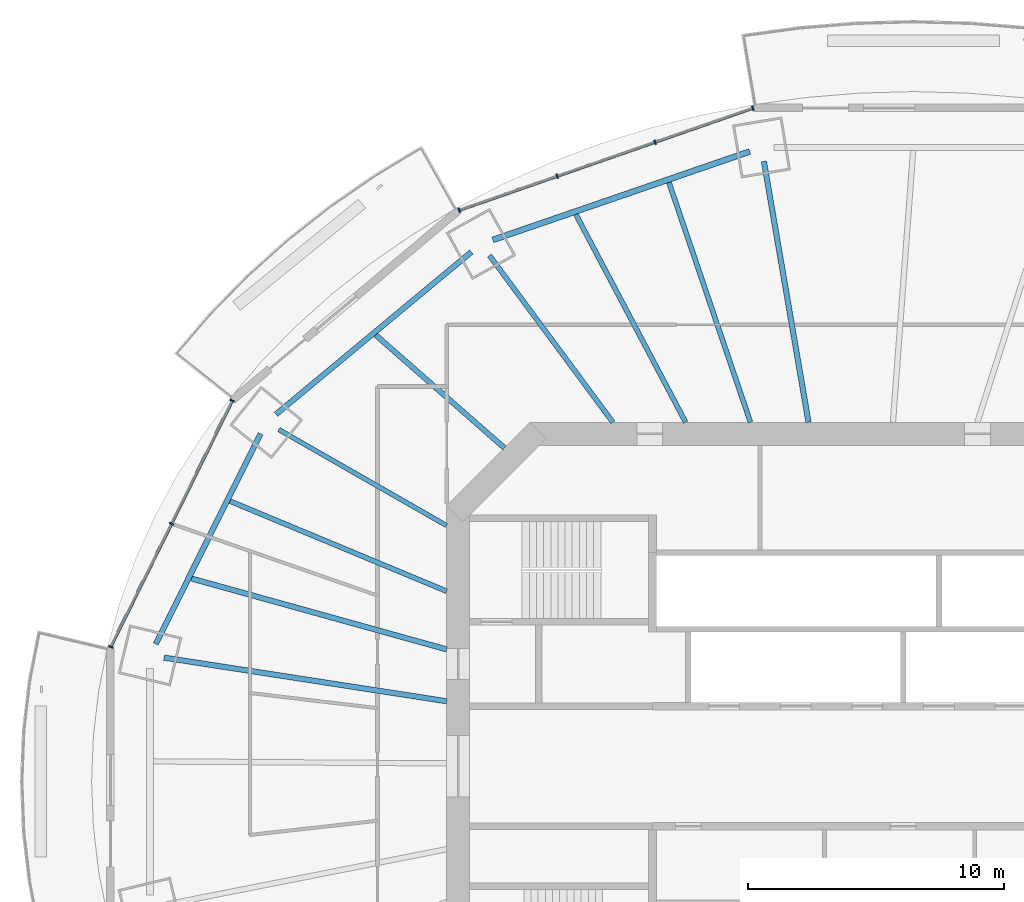
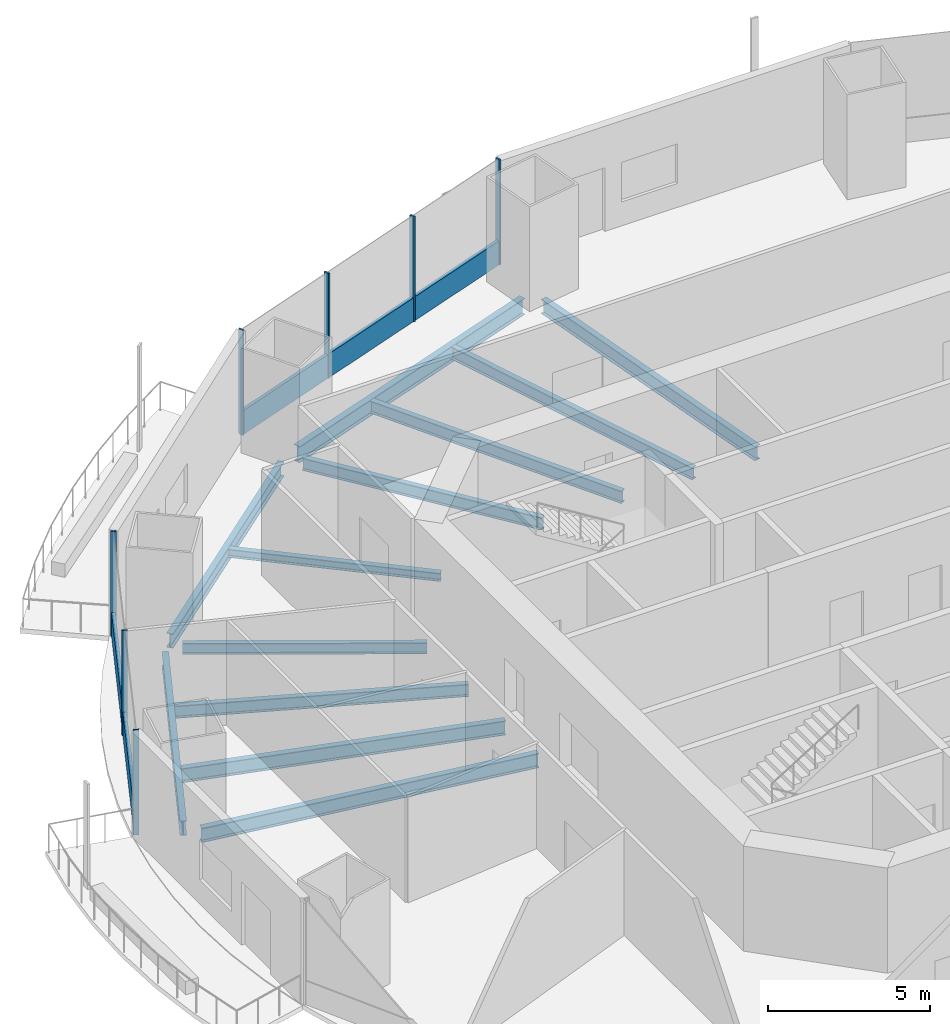
# One storey, part 6 of 20: 12 beams, 9 members, 2 elements without a shape of their own.
"""IFC4 building model written with IfcOpenShell, lengths in metres."""

from ifc_helpers import new_model, si_unit, direction, frame, origin, origin_2d, place, context, subcontext, project, spatial, rectangle, i_section, extrude, material, material_profile, profile_set, type_object, element, aggregate, save


model = new_model("IFC4")

# Units and contexts
model_context = context("Model", 3, precision=1e-05, world=origin(), true_north=direction((0.0, 1.0)))
body_context = subcontext(model_context, "Body", "Model", "MODEL_VIEW")
ifc_project = project(units=[si_unit("LENGTHUNIT", "METRE"), si_unit("AREAUNIT", "SQUARE_METRE"), si_unit("VOLUMEUNIT", "CUBIC_METRE"), si_unit("PLANEANGLEUNIT", "RADIAN"), si_unit("MASSUNIT", "GRAM", prefix="KILO")], contexts=[model_context])

# Site, building, storey
site_placement = place(None, origin())
site = spatial("IfcSite", under=ifc_project, at=site_placement, CompositionType="ELEMENT")
building_placement = place(site_placement, origin())
building = spatial("IfcBuilding", under=site, at=building_placement, Name="Marenthal Gate Tower", CompositionType="ELEMENT")
storey_placement = place(building_placement, frame((0.0, 0.0, 185.949951171875)))
storey = spatial("IfcBuildingStorey", under=building, at=storey_placement, Name="L40", CompositionType="ELEMENT", Elevation=185.949951171875)

# Curtain wall, members
ifc_material_1 = material(Name="Aluminium and glass", Category="aluminium")
curtain_wall_type = type_object("IfcCurtainWallType", Name="Curtain wall typical mid", PredefinedType="NOTDEFINED", material=ifc_material_1)
curtain_wall_1_placement = place(storey_placement, origin())
curtain_wall_1 = element("IfcCurtainWall", 1, at=curtain_wall_1_placement, inside=storey, type_object=curtain_wall_type, Name="Curtain wall L40 bay 5", PredefinedType="NOTDEFINED")
ifc_material_2 = material(Name="Aluminium", Category="aluminium")
ifc_material_profile_1 = material_profile(ifc_material_2, rectangle(XDim=0.179931640625, YDim=0.06005859375, at=origin_2d()), Name="60x180 aluminium mullion")
ifc_profile_set_1 = profile_set([ifc_material_profile_1], Name="Aluminium")
member_type_1 = type_object("IfcMemberType", Name="Mullion 60x180 typical mid", PredefinedType="MULLION", material=ifc_profile_set_1)
member_1_placement = place(storey_placement, frame((-4.47412109375, 25.735107421875, 0.0), z_axis=(0.0, 0.0, 1.0), x_axis=(0.328273001535, -0.944582890203, 0.0)))
member_1 = element("IfcMember", 2, at=member_1_placement, type_object=member_type_1, Name="Mullion L40 bay 5.1", PredefinedType="MULLION", context=body_context, shape_type="SweptSolid", body=[
    extrude(rectangle(XDim=0.179931640625, YDim=0.06005859375, at=origin_2d()), origin(), (0.0, 0.0, 1.0), 3.969970703125),
])
member_2_placement = place(storey_placement, frame((-8.30224609375, 24.40478515625, 0.0), z_axis=(0.0, 0.0, 1.0), x_axis=(0.328273001535, -0.944582890203, 0.0)))
member_2 = element("IfcMember", 3, at=member_2_placement, type_object=member_type_1, Name="Mullion L40 bay 5.2", PredefinedType="MULLION", context=body_context, shape_type="SweptSolid", body=[
    extrude(rectangle(XDim=0.179931640625, YDim=0.06005859375, at=origin_2d()), origin(), (0.0, 0.0, 1.0), 3.969970703125),
])
member_3_placement = place(storey_placement, frame((-12.13037109375, 23.07421875, 0.0), z_axis=(0.0, 0.0, 1.0), x_axis=(0.328273001535, -0.944582890203, 0.0)))
member_3 = element("IfcMember", 4, at=member_3_placement, type_object=member_type_1, Name="Mullion L40 bay 5.3", PredefinedType="MULLION", context=body_context, shape_type="SweptSolid", body=[
    extrude(rectangle(XDim=0.179931640625, YDim=0.06005859375, at=origin_2d()), origin(), (0.0, 0.0, 1.0), 3.969970703125),
])
member_4_placement = place(storey_placement, frame((-15.958251953125, 21.743896484375, 0.0), z_axis=(0.0, 0.0, 1.0), x_axis=(0.328273001535, -0.944582890203, 0.0)))
member_4 = element("IfcMember", 5, at=member_4_placement, type_object=member_type_1, Name="Mullion L40 bay 5.4", PredefinedType="MULLION", context=body_context, shape_type="SweptSolid", body=[
    extrude(rectangle(XDim=0.179931640625, YDim=0.06005859375, at=origin_2d()), origin(), (0.0, 0.0, 1.0), 3.969970703125),
])

curtain_wall_2_placement = place(storey_placement, origin())
curtain_wall_2 = element("IfcCurtainWall", 6, at=curtain_wall_2_placement, inside=storey, type_object=curtain_wall_type, Name="Curtain wall L40 bay 7", PredefinedType="NOTDEFINED")
member_5_placement = place(storey_placement, frame((-24.832763671875, 14.29638671875, 0.0), z_axis=(0.0, 0.0, 1.0), x_axis=(0.896680826174, -0.442677643406, 0.0)))
member_5 = element("IfcMember", 7, at=member_5_placement, type_object=member_type_1, Name="Mullion L40 bay 7.1", PredefinedType="MULLION", context=body_context, shape_type="SweptSolid", body=[
    extrude(rectangle(XDim=0.179931640625, YDim=0.06005859375, at=origin_2d()), origin(), (0.0, 0.0, 1.0), 3.969970703125),
])
member_6_placement = place(storey_placement, frame((-27.209716796875, 9.481689453125, 0.0), z_axis=(0.0, 0.0, 1.0), x_axis=(0.896680826174, -0.442677643406, 0.0)))
member_6 = element("IfcMember", 8, at=member_6_placement, type_object=member_type_1, Name="Mullion L40 bay 7.2", PredefinedType="MULLION", context=body_context, shape_type="SweptSolid", body=[
    extrude(rectangle(XDim=0.179931640625, YDim=0.06005859375, at=origin_2d()), origin(), (0.0, 0.0, 1.0), 3.969970703125),
])
member_7_placement = place(storey_placement, frame((-29.58642578125, 4.667236328125, 0.0), z_axis=(0.0, 0.0, 1.0), x_axis=(0.896680826174, -0.442677643406, 0.0)))
member_7 = element("IfcMember", 9, at=member_7_placement, type_object=member_type_1, Name="Mullion L40 bay 7.3", PredefinedType="MULLION", context=body_context, shape_type="SweptSolid", body=[
    extrude(rectangle(XDim=0.179931640625, YDim=0.06005859375, at=origin_2d()), origin(), (0.0, 0.0, 1.0), 3.969970703125),
])

# Member
ifc_material_3 = material(Name="Aluminium", Category="aluminium")
ifc_material_profile_2 = material_profile(ifc_material_3, rectangle(XDim=0.1201171875, YDim=0.89990234375, at=origin_2d()), Name="120x900 aluminium transom")
ifc_profile_set_2 = profile_set([ifc_material_profile_2], Name="Aluminium")
member_type_2 = type_object("IfcMemberType", Name="Transom 120x900 typical mid", PredefinedType="USERDEFINED", material=ifc_profile_set_2)
member_8_placement = place(storey_placement, frame((-4.50244140625, 25.72509765625, 0.449951171875), z_axis=(-0.944588780023, -0.328256053493, 0.0), x_axis=(0.328256053493, -0.944588780023, 0.0)))
member_8 = element("IfcMember", 10, at=member_8_placement, type_object=member_type_2, Name="Transom L40 bay 5", ObjectType="TRANSOM", PredefinedType="USERDEFINED", context=body_context, shape_type="SweptSolid", body=[
    extrude(rectangle(XDim=0.1201171875, YDim=0.89990234375, at=origin_2d()), origin(), (0.0, 0.0, 1.0), 12.097900390625),
])

aggregate(curtain_wall_1, [member_1, member_2, member_3, member_4, member_8])

member_9_placement = place(storey_placement, frame((-24.845947265625, 14.269287109375, 0.449951171875), z_axis=(-0.442690223778, -0.896674615327, 0.0), x_axis=(0.896674615327, -0.442690223778, 0.0)))
member_9 = element("IfcMember", 11, at=member_9_placement, type_object=member_type_2, Name="Transom L40 bay 7", ObjectType="TRANSOM", PredefinedType="USERDEFINED", context=body_context, shape_type="SweptSolid", body=[
    extrude(rectangle(XDim=0.1201171875, YDim=0.89990234375, at=origin_2d()), origin(), (0.0, 0.0, 1.0), 10.678466796875),
])

aggregate(curtain_wall_2, [member_5, member_6, member_7, member_9])

# Beams
ifc_material_4 = material(Name="Steel S355", Category="steel")
ifc_material_profile_3 = material_profile(ifc_material_4, i_section(OverallWidth=0.205078125, OverallDepth=0.31005859375, WebThickness=0.009521484375, FlangeThickness=0.016357421875, FilletRadius=0.0126953125, at=origin_2d()), Name="W310X74")
ifc_profile_set_3 = profile_set([ifc_material_profile_3], Name="Steel S355")
beam_type_1 = type_object("IfcBeamType", Name="W310X74 beam", PredefinedType="BEAM", material=ifc_profile_set_3)
beam_1_placement = place(storey_placement, frame((-19.2265625, 16.862060546875, -0.3349609375), z_axis=(0.751813002005, -0.659376379631, 0.0), x_axis=(0.659376379631, 0.751813002005, 0.0)))
element("IfcBeam", 12, at=beam_1_placement, inside=storey, type_object=beam_type_1, Name="BM-L40-25", PredefinedType="BEAM", context=body_context, shape_type="SweptSolid", body=[
    extrude(i_section(OverallWidth=0.205078125, OverallDepth=0.31005859375, WebThickness=0.009521484375, FlangeThickness=0.016357421875, FilletRadius=0.0126953125, at=origin_2d()), origin(), (0.0, 0.0, 1.0), 6.697998046875),
])
ifc_material_5 = material(Name="Steel S355", Category="steel")
ifc_material_profile_4 = material_profile(ifc_material_5, i_section(OverallWidth=0.180908203125, OverallDepth=0.4169921875, WebThickness=0.010986328125, FlangeThickness=0.018310546875, FilletRadius=0.01025390625, at=origin_2d()), Name="W410X85")
ifc_profile_set_4 = profile_set([ifc_material_profile_4], Name="Steel S355")
beam_type_2 = type_object("IfcBeamType", Name="W410X85 beam", PredefinedType="BEAM", material=ifc_profile_set_4)
beam_2_placement = place(storey_placement, frame((-23.016845703125, 13.165771484375, -0.388427734375), z_axis=(0.868024608307, -0.496521177166, 0.0), x_axis=(0.496521177166, 0.868024608307, 0.0)))
element("IfcBeam", 13, at=beam_2_placement, inside=storey, type_object=beam_type_2, Name="BM-L40-07", PredefinedType="BEAM", context=body_context, shape_type="SweptSolid", body=[
    extrude(i_section(OverallWidth=0.180908203125, OverallDepth=0.4169921875, WebThickness=0.010986328125, FlangeThickness=0.018310546875, FilletRadius=0.01025390625, at=origin_2d()), origin(), (0.0, 0.0, 1.0), 7.5654296875),
])
ifc_material_6 = material(Name="Steel S355", Category="steel")
ifc_material_profile_5 = material_profile(ifc_material_6, i_section(OverallWidth=0.193115234375, OverallDepth=0.467041015625, WebThickness=0.011474609375, FlangeThickness=0.01904296875, FilletRadius=0.010009765625, at=origin_2d()), Name="W460X97")
ifc_profile_set_5 = profile_set([ifc_material_profile_5], Name="Steel S355")
beam_type_3 = type_object("IfcBeamType", Name="W460X97 beam", PredefinedType="BEAM", material=ifc_profile_set_5)
beam_3_placement = place(storey_placement, frame((-14.7763671875, 19.970947265625, -0.413330078125), z_axis=(0.59479633117, -0.803876436044, 0.0), x_axis=(0.803876436044, 0.59479633117, 0.0)))
element("IfcBeam", 14, at=beam_3_placement, inside=storey, type_object=beam_type_3, Name="BM-L40-06", PredefinedType="BEAM", context=body_context, shape_type="SweptSolid", body=[
    extrude(i_section(OverallWidth=0.193115234375, OverallDepth=0.467041015625, WebThickness=0.011474609375, FlangeThickness=0.01904296875, FilletRadius=0.010009765625, at=origin_2d()), origin(), (0.0, 0.0, 1.0), 8.11181640625),
])
beam_4_placement = place(storey_placement, frame((-7.7578125, 22.82861328125, -0.413330078125), z_axis=(0.321745866292, -0.946826065085, 0.0), x_axis=(0.946826065085, 0.321745866292, 0.0)))
element("IfcBeam", 15, at=beam_4_placement, inside=storey, type_object=beam_type_3, Name="BM-L40-23", PredefinedType="BEAM", context=body_context, shape_type="SweptSolid", body=[
    extrude(i_section(OverallWidth=0.193115234375, OverallDepth=0.467041015625, WebThickness=0.011474609375, FlangeThickness=0.01904296875, FilletRadius=0.010009765625, at=origin_2d()), origin(), (0.0, 0.0, 1.0), 9.9052734375),
])
beam_5_placement = place(storey_placement, frame((-11.397705078125, 21.576171875, -0.413330078125), z_axis=(0.467089292525, -0.884210151948, 0.0), x_axis=(0.884210151948, 0.467089292525, 0.0)))
element("IfcBeam", 16, at=beam_5_placement, inside=storey, type_object=beam_type_3, Name="BM-L40-24", PredefinedType="BEAM", context=body_context, shape_type="SweptSolid", body=[
    extrude(i_section(OverallWidth=0.193115234375, OverallDepth=0.467041015625, WebThickness=0.011474609375, FlangeThickness=0.01904296875, FilletRadius=0.010009765625, at=origin_2d()), origin(), (0.0, 0.0, 1.0), 9.1904296875),
])
beam_6_placement = place(storey_placement, frame((-24.922607421875, 10.36669921875, -0.413330078125), z_axis=(0.923312891466, -0.384048570433, 0.0), x_axis=(0.384048570433, 0.923312891466, 0.0)))
element("IfcBeam", 17, at=beam_6_placement, inside=storey, type_object=beam_type_3, Name="BM-L40-26", PredefinedType="BEAM", context=body_context, shape_type="SweptSolid", body=[
    extrude(i_section(OverallWidth=0.193115234375, OverallDepth=0.467041015625, WebThickness=0.011474609375, FlangeThickness=0.01904296875, FilletRadius=0.010009765625, at=origin_2d()), origin(), (0.0, 0.0, 1.0), 9.17626953125),
])
ifc_material_7 = material(Name="Steel S355", Category="steel")
ifc_material_profile_6 = material_profile(ifc_material_7, i_section(OverallWidth=0.2099609375, OverallDepth=0.535888671875, WebThickness=0.010986328125, FlangeThickness=0.017333984375, FilletRadius=0.0126953125, at=origin_2d()), Name="W530X101")
ifc_profile_set_6 = profile_set([ifc_material_profile_6], Name="Steel S355")
beam_type_4 = type_object("IfcBeamType", Name="W530X101 beam", PredefinedType="BEAM", material=ifc_profile_set_6)
beam_7_placement = place(storey_placement, frame((-26.431396484375, 7.341064453125, -0.447998046875), z_axis=(0.963528038179, -0.267607398335, 0.0), x_axis=(0.267607398335, 0.963528038179, 0.0)))
element("IfcBeam", 18, at=beam_7_placement, inside=storey, type_object=beam_type_4, Name="BM-L40-27", PredefinedType="BEAM", context=body_context, shape_type="SweptSolid", body=[
    extrude(i_section(OverallWidth=0.2099609375, OverallDepth=0.535888671875, WebThickness=0.010986328125, FlangeThickness=0.017333984375, FilletRadius=0.0126953125, at=origin_2d()), origin(), (0.0, 0.0, 1.0), 10.359375),
])
ifc_material_8 = material(Name="Steel S355", Category="steel")
ifc_material_profile_7 = material_profile(ifc_material_8, i_section(OverallWidth=0.2119140625, OverallDepth=0.5439453125, WebThickness=0.01318359375, FlangeThickness=0.021240234375, FilletRadius=0.0126953125, at=origin_2d()), Name="W530X123")
ifc_profile_set_7 = profile_set([ifc_material_profile_7], Name="Steel S355")
beam_type_5 = type_object("IfcBeamType", Name="W530X123 beam", PredefinedType="BEAM", material=ifc_profile_set_7)
beam_8_placement = place(storey_placement, frame((-4.044921875, 23.653076171875, -0.451904296875), z_axis=(0.168566436963, -0.985690294327, 0.0), x_axis=(0.985690294327, 0.168566436963, 0.0)))
element("IfcBeam", 19, at=beam_8_placement, inside=storey, type_object=beam_type_5, Name="BM-L40-05", PredefinedType="BEAM", context=body_context, shape_type="SweptSolid", body=[
    extrude(i_section(OverallWidth=0.2119140625, OverallDepth=0.5439453125, WebThickness=0.01318359375, FlangeThickness=0.021240234375, FilletRadius=0.0126953125, at=origin_2d()), origin(), (0.0, 0.0, 1.0), 10.351318359375),
])
beam_9_placement = place(storey_placement, frame((-27.503173828125, 4.24755859375, -0.451904296875), z_axis=(0.988283712308, -0.152627992147, 0.0), x_axis=(0.152627992147, 0.988283712308, 0.0)))
element("IfcBeam", 20, at=beam_9_placement, inside=storey, type_object=beam_type_5, Name="BM-L40-08", PredefinedType="BEAM", context=body_context, shape_type="SweptSolid", body=[
    extrude(i_section(OverallWidth=0.2119140625, OverallDepth=0.5439453125, WebThickness=0.01318359375, FlangeThickness=0.021240234375, FilletRadius=0.0126953125, at=origin_2d()), origin(), (0.0, 0.0, 1.0), 11.184326171875),
])
beam_10_placement = place(storey_placement, frame((-15.4873046875, 20.10595703125, -0.451904296875), z_axis=(-0.769236112246, -0.638964634089, 0.0), x_axis=(0.638964634089, -0.769236112246, 0.0)))
element("IfcBeam", 21, at=beam_10_placement, inside=storey, type_object=beam_type_5, Name="BM-L40-46", PredefinedType="BEAM", context=body_context, shape_type="SweptSolid", body=[
    extrude(i_section(OverallWidth=0.2119140625, OverallDepth=0.5439453125, WebThickness=0.01318359375, FlangeThickness=0.021240234375, FilletRadius=0.0126953125, at=origin_2d()), origin(), (0.0, 0.0, 1.0), 9.928955078125),
])
beam_11_placement = place(storey_placement, frame((-23.72802734375, 12.999755859375, -0.451904296875), z_axis=(-0.446245776871, -0.894910446148, 0.0), x_axis=(0.894910446148, -0.446245776871, 0.0)))
element("IfcBeam", 22, at=beam_11_placement, inside=storey, type_object=beam_type_5, Name="BM-L40-47", PredefinedType="BEAM", context=body_context, shape_type="SweptSolid", body=[
    extrude(i_section(OverallWidth=0.2119140625, OverallDepth=0.5439453125, WebThickness=0.01318359375, FlangeThickness=0.021240234375, FilletRadius=0.0126953125, at=origin_2d()), origin(), (0.0, 0.0, 1.0), 9.184814453125),
])
ifc_material_9 = material(Name="Steel S355", Category="steel")
ifc_material_profile_8 = material_profile(ifc_material_9, i_section(OverallWidth=0.22900390625, OverallDepth=0.612060546875, WebThickness=0.011962890625, FlangeThickness=0.01953125, FilletRadius=0.0126953125, at=origin_2d()), Name="W610X125")
ifc_profile_set_8 = profile_set([ifc_material_profile_8], Name="Steel S355")
beam_type_6 = type_object("IfcBeamType", Name="W610X125 beam", PredefinedType="BEAM", material=ifc_profile_set_8)
beam_12_placement = place(storey_placement, frame((-4.599853515625, 24.0361328125, -0.48583984375), z_axis=(-0.945594274162, -0.325348226785, 0.0), x_axis=(0.325348226785, -0.945594274162, 0.0)))
element("IfcBeam", 23, at=beam_12_placement, inside=storey, type_object=beam_type_6, Name="BM-L40-45", PredefinedType="BEAM", context=body_context, shape_type="SweptSolid", body=[
    extrude(i_section(OverallWidth=0.22900390625, OverallDepth=0.612060546875, WebThickness=0.011962890625, FlangeThickness=0.01953125, FilletRadius=0.0126953125, at=origin_2d()), origin(), (0.0, 0.0, 1.0), 10.623291015625),
])

save(model, "model.ifc")
